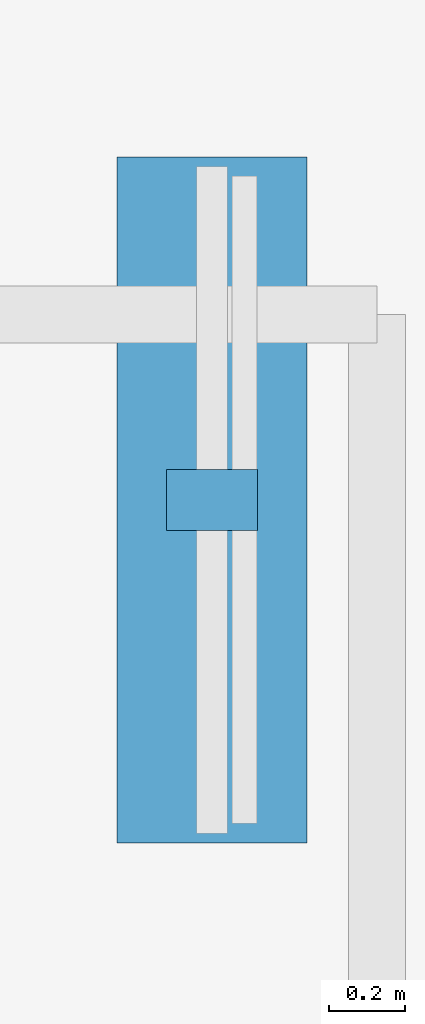
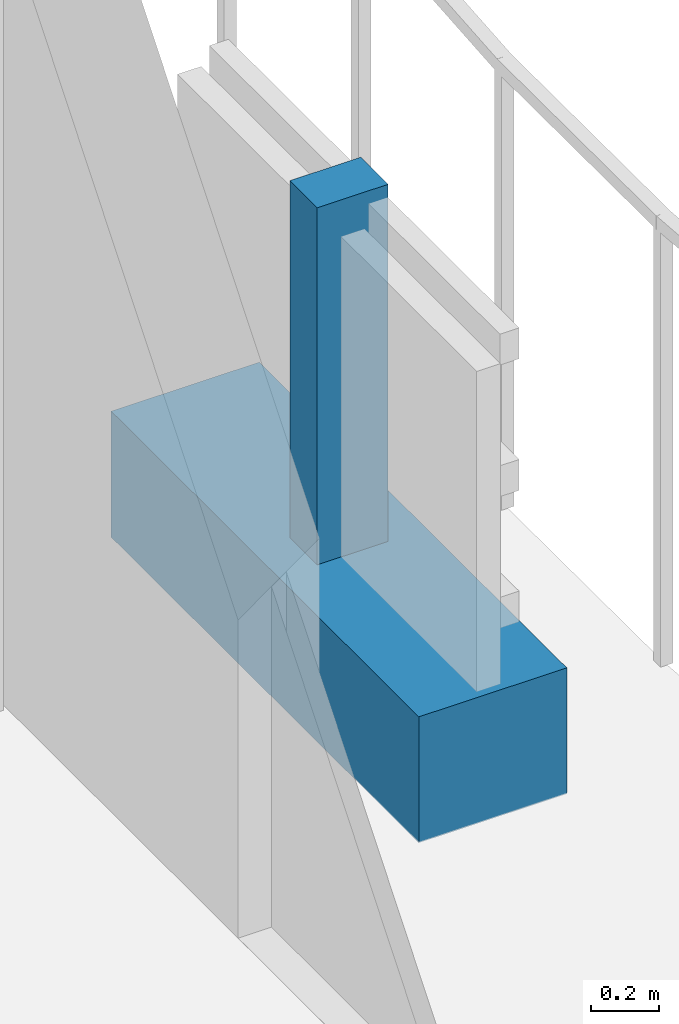
# One storey, part 6 of 8: 2 discrete accessories.
"""IFC4 building model written with IfcOpenShell, lengths in metres."""

from ifc_helpers import new_model, si_unit, direction, frame, origin, origin_2d, place, context, subcontext, project, spatial, rectangle, extrude, material, type_object, element, save


model = new_model("IFC4")

# Units and contexts
model_context = context("Model", 3, precision=1e-05, world=origin(), true_north=direction((0.0, 1.0)))
body_context = subcontext(model_context, "Body", "Model", "MODEL_VIEW")
ifc_project = project(units=[si_unit("LENGTHUNIT", "METRE"), si_unit("AREAUNIT", "SQUARE_METRE"), si_unit("VOLUMEUNIT", "CUBIC_METRE"), si_unit("PLANEANGLEUNIT", "RADIAN"), si_unit("MASSUNIT", "GRAM", prefix="KILO")], contexts=[model_context])

# Site, building, storey
site_placement = place(None, origin())
site = spatial("IfcSite", under=ifc_project, at=site_placement, CompositionType="ELEMENT")
building_placement = place(site_placement, origin())
building = spatial("IfcBuilding", under=site, at=building_placement, Name="Mawjaban Terraces University", CompositionType="ELEMENT")
storey_placement = place(building_placement, frame((0.0, 0.0, 271.60009765625)))
storey = spatial("IfcBuildingStorey", under=building, at=storey_placement, Name="L66", CompositionType="ELEMENT", Elevation=271.60009765625)

# Discrete accessories
ifc_material_1 = material(Name="Stainless steel 316L", Category="steel")
discrete_accessory_type_1 = type_object("IfcDiscreteAccessoryType", Name="FacadeScreenBracket_Steel", PredefinedType="BRACKET", material=ifc_material_1)
discrete_accessory_1_placement = place(storey_placement, frame((38.81689453125, 29.512939453125, 0.419921875), z_axis=(0.0, 0.0, 1.0), x_axis=(0.0, 1.0, 0.0)))
element("IfcDiscreteAccessory", 1, at=discrete_accessory_1_placement, inside=storey, type_object=discrete_accessory_type_1, Name="L66 Balcony Screen Support Bracket inner_east", PredefinedType="BRACKET", context=body_context, shape_type="SweptSolid", body=[
    extrude(rectangle(XDim=0.159912109375, YDim=0.239990234375, at=origin_2d()), origin(), (0.0, 0.0, 1.0), 1.300048828125),
])
ifc_material_2 = material(Name="Precast architectural terracotta planter with engineered planting soil", Category="masonry")
discrete_accessory_type_2 = type_object("IfcDiscreteAccessoryType", Name="IrrigatedPlanterTrough_450", PredefinedType="USERDEFINED", material=ifc_material_2)
discrete_accessory_2_placement = place(storey_placement, frame((38.81689453125, 29.512939453125, -0.0048828125), z_axis=(0.0, 0.0, 1.0), x_axis=(0.0, 1.0, 0.0)))
element("IfcDiscreteAccessory", 2, at=discrete_accessory_2_placement, inside=storey, type_object=discrete_accessory_type_2, Name="L66 Balcony Irrigated Planter inner_east", ObjectType="PLANTER", PredefinedType="USERDEFINED", context=body_context, shape_type="SweptSolid", body=[
    extrude(rectangle(XDim=1.800048828125, YDim=0.5, at=origin_2d()), origin(), (0.0, 0.0, 1.0), 0.449951171875),
])

save(model, "model.ifc")
